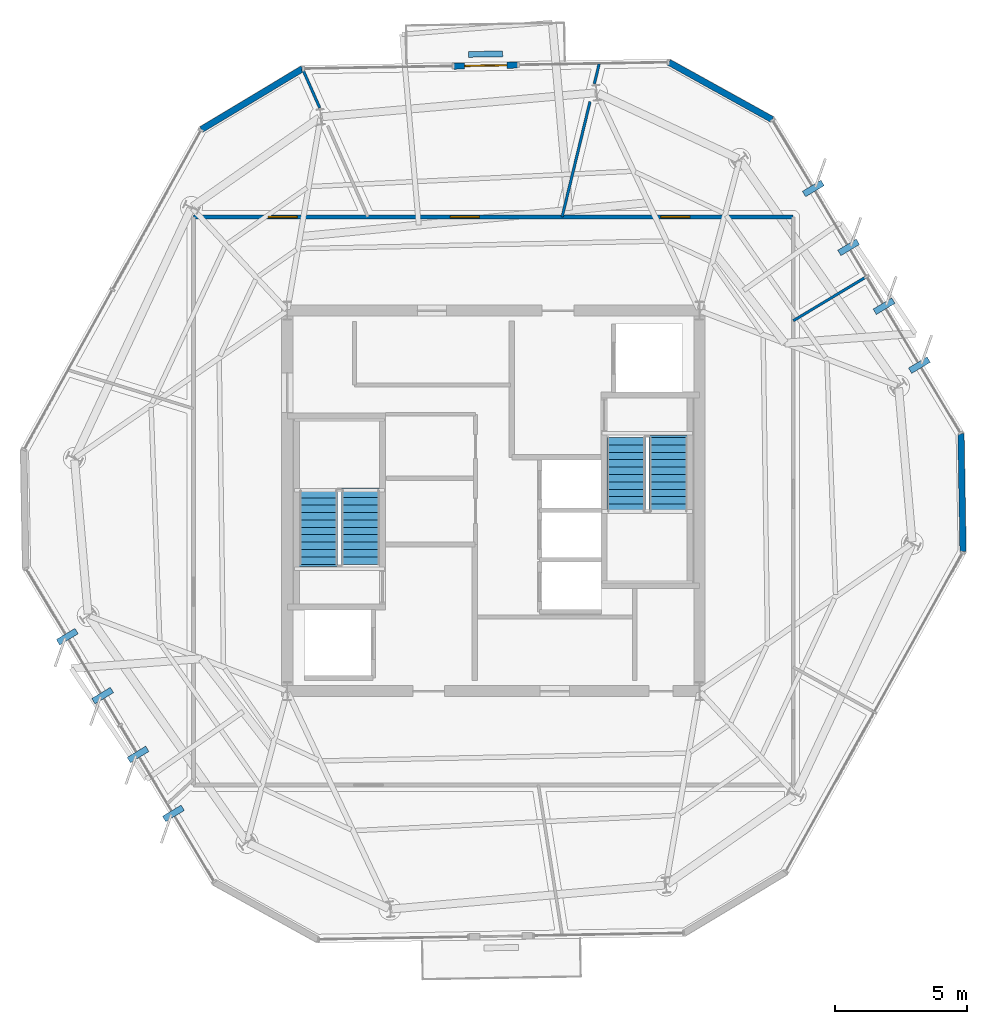
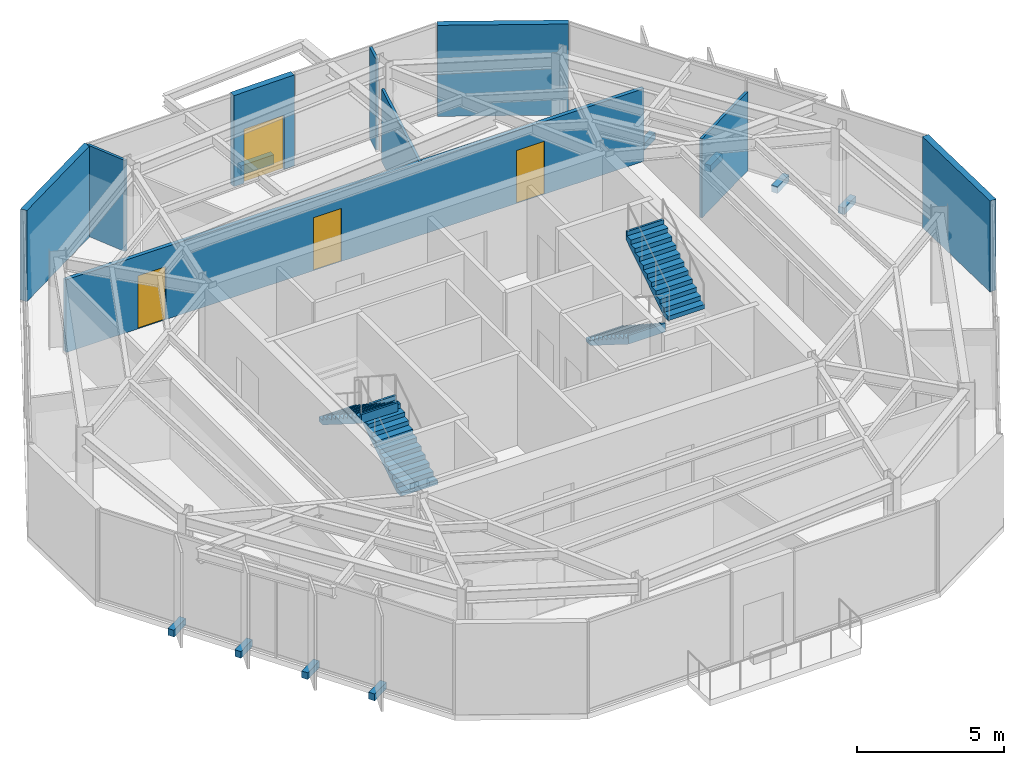
# One storey, part 8 of 12: 10 walls, 8 discrete accessories, 4 doors, 4 stair flights, 4 openings, 2 elements without a shape of their own.
"""IFC4 building model written with IfcOpenShell, lengths in metres."""

from ifc_helpers import new_model, si_unit, direction, frame, frame_2d, origin, origin_2d, place, context, subcontext, project, spatial, polyline, rectangle, outline, extrude, material, layer, layer_set, type_object, element, fill, aggregate, save


model = new_model("IFC4")

# Units and contexts
model_context = context("Model", 3, precision=1e-05, world=origin(), true_north=direction((0.0, 1.0)))
body_context = subcontext(model_context, "Body", "Model", "MODEL_VIEW")
ifc_project = project(units=[si_unit("LENGTHUNIT", "METRE"), si_unit("AREAUNIT", "SQUARE_METRE"), si_unit("VOLUMEUNIT", "CUBIC_METRE"), si_unit("PLANEANGLEUNIT", "RADIAN"), si_unit("MASSUNIT", "GRAM", prefix="KILO")], contexts=[model_context])

# Site, building, storey
site_placement = place(None, origin())
site = spatial("IfcSite", under=ifc_project, at=site_placement, CompositionType="ELEMENT")
building_placement = place(site_placement, origin())
building = spatial("IfcBuilding", under=site, at=building_placement, Name="Kranzbogen Civic Tower", CompositionType="ELEMENT")
storey_placement = place(building_placement, frame((0.0, 0.0, 270.199951171875)))
storey = spatial("IfcBuildingStorey", under=building, at=storey_placement, Name="L65", CompositionType="ELEMENT", Elevation=270.199951171875)

# Wall, openings, doors
ifc_material_1 = material(Name="Double-Stud Acoustic Gypsum Partition")
ifc_layer_1 = layer(ifc_material_1, 0.14990234375, Name="Double-Stud Acoustic Gypsum Partition")
ifc_layer_set_1 = layer_set([ifc_layer_1], Name="Double-Stud Acoustic Gypsum Partition")
wall_type_1 = type_object("IfcWallType", Name="Acoustic Corridor and Clinical Partition 150 mm", PredefinedType="PARTITIONING", material=ifc_layer_set_1)
wall_1_placement = place(storey_placement, frame((13.64990234375, 35.75, 0.0), z_axis=(0.0, 0.0, 1.0), x_axis=(1.0, 0.0, 0.0)))
wall_1 = element("IfcWall", 1, at=wall_1_placement, inside=storey, type_object=wall_type_1, Name="L65 corridor partition 01", PredefinedType="PARTITIONING", context=body_context, shape_type="SweptSolid", body=[
    extrude(rectangle(XDim=22.7001953125, YDim=0.14990234375, at=frame_2d((11.35009765625, 0.0))), origin(), (0.0, 0.0, 1.0), 3.02001953125),
])
opening_1_placement = place(wall_1_placement, frame((9.720947265625, 0.0, 0.0)))
opening_1 = element("IfcOpeningElement", 2, at=opening_1_placement, cuts=wall_1, Name="Opening D-COR60", PredefinedType="OPENING", context=body_context, shape_type="SweptSolid", body=[
    extrude(rectangle(XDim=1.10009765625, YDim=2.199951171875, at=frame_2d((0.550048828125, 1.10009765625))), frame((0.0, 0.0849609375, 0.0), z_axis=(0.0, -1.0, 0.0), x_axis=(1.0, 0.0, 0.0)), (0.0, 0.0, 1.0), 0.169921875),
])
opening_2_placement = place(wall_1_placement, frame((17.69091796875, 0.0, 0.0)))
opening_2 = element("IfcOpeningElement", 3, at=opening_2_placement, cuts=wall_1, Name="Opening D-COR60", PredefinedType="OPENING", context=body_context, shape_type="SweptSolid", body=[
    extrude(rectangle(XDim=1.10009765625, YDim=2.199951171875, at=frame_2d((0.550048828125, 1.10009765625))), frame((0.0, 0.0849609375, 0.0), z_axis=(0.0, -1.0, 0.0), x_axis=(1.0, 0.0, 0.0)), (0.0, 0.0, 1.0), 0.169921875),
])
opening_3_placement = place(wall_1_placement, frame((2.827880859375, 0.0, 0.0)))
opening_3 = element("IfcOpeningElement", 4, at=opening_3_placement, cuts=wall_1, Name="Opening D-COR60", PredefinedType="OPENING", context=body_context, shape_type="SweptSolid", body=[
    extrude(rectangle(XDim=1.10009765625, YDim=2.199951171875, at=frame_2d((0.550048828125, 1.10009765625))), frame((0.0, 0.0849609375, 0.0), z_axis=(0.0, -1.0, 0.0), x_axis=(1.0, 0.0, 0.0)), (0.0, 0.0, 1.0), 0.169921875),
])
ifc_material_2 = material(Name="Oak Timber and Fire Core", Category="wood")
door_type_1 = type_object("IfcDoorType", Name="Corridor Acoustic Fire Door 1100x2200", OperationType="NOTDEFINED", PredefinedType="DOOR", material=ifc_material_2)
door_1_placement = place(opening_1_placement, origin())
door_1 = element("IfcDoor", 5, at=door_1_placement, inside=storey, type_object=door_type_1, Name="L65 Hospitality Catering Kitchen door", OperationType="SINGLE_SWING_RIGHT", OverallHeight=2.199951171875, OverallWidth=1.10009765625, PredefinedType="DOOR", context=body_context, shape_type="SweptSolid", body=[
    extrude(rectangle(XDim=1.10009765625, YDim=2.199951171875, at=frame_2d((0.550048828125, 1.10009765625))), frame((0.0, 0.02490234375, 0.0), z_axis=(0.0, -1.0, 0.0), x_axis=(1.0, 0.0, 0.0)), (0.0, 0.0, 1.0), 0.050048828125),
])
fill(opening_1, door_1)
door_2_placement = place(opening_2_placement, origin())
door_2 = element("IfcDoor", 6, at=door_2_placement, inside=storey, type_object=door_type_1, Name="L65 Refreshment Galley Pantry door", OperationType="SINGLE_SWING_LEFT", OverallHeight=2.199951171875, OverallWidth=1.10009765625, PredefinedType="DOOR", context=body_context, shape_type="SweptSolid", body=[
    extrude(rectangle(XDim=1.10009765625, YDim=2.199951171875, at=frame_2d((0.550048828125, 1.10009765625))), frame((0.0, 0.02490234375, 0.0), z_axis=(0.0, -1.0, 0.0), x_axis=(1.0, 0.0, 0.0)), (0.0, 0.0, 1.0), 0.050048828125),
])
fill(opening_2, door_2)
door_3_placement = place(opening_3_placement, origin())
door_3 = element("IfcDoor", 7, at=door_3_placement, inside=storey, type_object=door_type_1, Name="L65 Ministerial Policy Office door", OperationType="SINGLE_SWING_RIGHT", OverallHeight=2.199951171875, OverallWidth=1.10009765625, PredefinedType="DOOR", context=body_context, shape_type="SweptSolid", body=[
    extrude(rectangle(XDim=1.10009765625, YDim=2.199951171875, at=frame_2d((0.550048828125, 1.10009765625))), frame((0.0, 0.02490234375, 0.0), z_axis=(0.0, -1.0, 0.0), x_axis=(1.0, 0.0, 0.0)), (0.0, 0.0, 1.0), 0.050048828125),
])
fill(opening_3, door_3)

# Walls
ifc_material_3 = material(Name="Architectural Precast Terracotta Concrete C40/50", Category="masonry")
ifc_layer_2 = layer(ifc_material_3, 0.219970703125, Name="Architectural Precast Terracotta Concrete C40/50")
ifc_layer_set_2 = layer_set([ifc_layer_2], Name="Architectural Precast Terracotta Concrete C40/50")
wall_type_2 = type_object("IfcWallType", Name="Architectural Tree Planter Kerb Wall 220 mm", PredefinedType="USERDEFINED", material=ifc_layer_set_2)
wall_2_placement = place(storey_placement, frame((25.35498046875, 41.9208984375, 0.0), z_axis=(0.0, 0.0, 1.0), x_axis=(-0.999857201789, -0.01689899496, 0.0)))
element("IfcWall", 8, at=wall_2_placement, inside=storey, type_object=wall_type_2, Name="L65 landscaped tree balcony planter L65-TB2", ObjectType="PLANTER_WALL", PredefinedType="USERDEFINED", context=body_context, shape_type="SweptSolid", body=[
    extrude(rectangle(XDim=1.30029296875, YDim=0.219970703125, at=frame_2d((0.650146484375, 0.0))), origin(), (0.0, 0.0, 1.0), 0.400146484375),
])
ifc_material_4 = material(Name="Demountable Aluminium and Gypsum Partition", Category="aluminium")
ifc_layer_3 = layer(ifc_material_4, 0.10009765625, Name="Demountable Aluminium and Gypsum Partition")
ifc_layer_set_3 = layer_set([ifc_layer_3], Name="Demountable Aluminium and Gypsum Partition")
wall_type_3 = type_object("IfcWallType", Name="Demountable Office Partition 100 mm", PredefinedType="MOVABLE", material=ifc_layer_set_3)
wall_3_placement = place(storey_placement, frame((18.429931640625, 39.8759765625, 0.0), z_axis=(0.0, 0.0, 1.0), x_axis=(-0.403674010348, 0.914902887398, 0.0)))
element("IfcWall", 9, at=wall_3_placement, inside=storey, type_object=wall_type_3, Name="L65 radial room partition 01 part 2", PredefinedType="MOVABLE", context=body_context, shape_type="SweptSolid", body=[
    extrude(rectangle(XDim=1.600341796875, YDim=0.10009765625, at=frame_2d((0.80029296875, 0.0))), origin(), (0.0, 0.0, 1.0), 3.780029296875),
])
wall_4_placement = place(storey_placement, frame((36.35009765625, 31.820068359375, 0.0), z_axis=(0.0, 0.0, 1.0), x_axis=(0.85725213213, 0.514896865361, 0.0)))
element("IfcWall", 10, at=wall_4_placement, inside=storey, type_object=wall_type_3, Name="L65 radial room partition 06", PredefinedType="MOVABLE", context=body_context, shape_type="SweptSolid", body=[
    extrude(rectangle(XDim=3.221923828125, YDim=0.10009765625, at=frame_2d((1.61083984375, 0.0))), origin(), (0.0, 0.0, 1.0), 3.280029296875),
])
wall_5_placement = place(storey_placement, frame((27.60302734375, 35.75, 0.0), z_axis=(0.0, 0.0, 1.0), x_axis=(0.235371054184, 0.971905585359, 0.0)))
element("IfcWall", 11, at=wall_5_placement, inside=storey, type_object=wall_type_3, Name="L65 radial room partition 07 part 1", PredefinedType="MOVABLE", context=body_context, shape_type="SweptSolid", body=[
    extrude(rectangle(XDim=4.486083984375, YDim=0.10009765625, at=frame_2d((2.2431640625, 0.0))), origin(), (0.0, 0.0, 1.0), 3.02001953125),
])
wall_6_placement = place(storey_placement, frame((28.822998046875, 40.7900390625, 0.0), z_axis=(0.0, 0.0, 1.0), x_axis=(0.235718383404, 0.971821405262, 0.0)))
element("IfcWall", 12, at=wall_6_placement, inside=storey, type_object=wall_type_3, Name="L65 radial room partition 07 part 2", PredefinedType="MOVABLE", context=body_context, shape_type="SweptSolid", body=[
    extrude(rectangle(XDim=0.767578125, YDim=0.10009765625, at=frame_2d((0.3837890625, 0.0))), origin(), (0.0, 0.0, 1.0), 3.780029296875),
])

# Wall, opening, door
ifc_material_5 = material(Name="Pale Anodised Aluminium", Category="aluminium")
ifc_layer_4 = layer(ifc_material_5, 0.239990234375, Name="Pale Anodised Aluminium")
ifc_layer_set_4 = layer_set([ifc_layer_4], Name="Pale Anodised Aluminium")
wall_type_4 = type_object("IfcWallType", Name="Insulated Aluminium Facade Portal Wall 240 mm", PredefinedType="STANDARD", material=ifc_layer_set_4)
wall_7_placement = place(storey_placement, frame((25.912109375, 41.498046875, 0.0), z_axis=(0.0, 0.0, 1.0), x_axis=(-0.999846985771, -0.017492999853, 0.0)))
wall_7 = element("IfcWall", 13, at=wall_7_placement, inside=storey, type_object=wall_type_4, Name="L65 exterior entrance portal wall 1", PredefinedType="STANDARD", context=body_context, shape_type="SweptSolid", body=[
    extrude(rectangle(XDim=2.400634765625, YDim=0.239990234375, at=frame_2d((1.2001953125, 0.0))), origin(), (0.0, 0.0, 1.0), 3.780029296875),
])
opening_4_placement = place(wall_7_placement, frame((0.39990234375, 0.0, 0.0)))
opening_4 = element("IfcOpeningElement", 14, at=opening_4_placement, cuts=wall_7, Name="Opening D-TER", PredefinedType="OPENING", context=body_context, shape_type="SweptSolid", body=[
    extrude(rectangle(XDim=1.60009765625, YDim=2.25, at=frame_2d((0.800048828125, 1.125))), frame((0.0, 0.1298828125, 0.0), z_axis=(0.0, -1.0, 0.0), x_axis=(1.0, 0.0, 0.0)), (0.0, 0.0, 1.0), 0.260009765625),
])
ifc_material_6 = material(Name="Anodised Bronze and Triple Glass", Category="glass")
door_type_2 = type_object("IfcDoorType", Name="Glazed Terrace and Balcony Double Door 1600x2250", OperationType="DOUBLE_DOOR_SINGLE_SWING", PredefinedType="DOOR", material=ifc_material_6)
door_4_placement = place(opening_4_placement, frame((1.60009765625, 0.0, 0.0), z_axis=(0.0, 0.0, 1.0), x_axis=(-1.0, 0.0, 0.0)))
door_4 = element("IfcDoor", 15, at=door_4_placement, inside=storey, type_object=door_type_2, Name="L65 tree balcony access door L65-TB2", OperationType="DOUBLE_DOOR_SINGLE_SWING", OverallHeight=2.25, OverallWidth=1.60009765625, PredefinedType="DOOR", context=body_context, shape_type="SweptSolid", body=[
    extrude(rectangle(XDim=1.60009765625, YDim=2.25, at=frame_2d((0.800048828125, 1.125))), frame((0.0, 0.02490234375, 0.0), z_axis=(0.0, -1.0, 0.0), x_axis=(1.0, 0.0, 0.0)), (0.0, 0.0, 1.0), 0.050048828125),
])
fill(opening_4, door_4)

# Walls
wall_8_placement = place(storey_placement, frame((17.777099609375, 41.35595703125, 0.0), z_axis=(0.0, 0.0, 1.0), x_axis=(-0.857121218243, -0.515114761231, 0.0)))
element("IfcWall", 16, at=wall_8_placement, inside=storey, type_object=wall_type_4, Name="L65 chamfered corner facade spandrel 1", PredefinedType="STANDARD", context=body_context, shape_type="SweptSolid", body=[
    extrude(rectangle(XDim=4.465087890625, YDim=0.239990234375, at=frame_2d((2.232421875, 0.0))), origin(), (0.0, 0.0, 1.0), 3.780029296875),
])
wall_9_placement = place(storey_placement, frame((42.77587890625, 23.076904296875, 0.0), z_axis=(0.0, 0.0, 1.0), x_axis=(-0.01743952575, 0.999847919907, 0.0)))
element("IfcWall", 17, at=wall_9_placement, inside=storey, type_object=wall_type_4, Name="L65 chamfered corner facade spandrel 5", PredefinedType="STANDARD", context=body_context, shape_type="SweptSolid", body=[
    extrude(rectangle(XDim=4.4658203125, YDim=0.239990234375, at=frame_2d((2.23291015625, 0.0))), origin(), (0.0, 0.0, 1.0), 3.780029296875),
])
wall_10_placement = place(storey_placement, frame((35.552978515625, 39.43310546875, 0.0), z_axis=(0.0, 0.0, 1.0), x_axis=(-0.874600538514, 0.48484419975, 0.0)))
element("IfcWall", 18, at=wall_10_placement, inside=storey, type_object=wall_type_4, Name="L65 chamfered corner facade spandrel 6", PredefinedType="STANDARD", context=body_context, shape_type="SweptSolid", body=[
    extrude(rectangle(XDim=4.46484375, YDim=0.239990234375, at=frame_2d((2.232421875, 0.0))), origin(), (0.0, 0.0, 1.0), 3.780029296875),
])

# Stair, stair flights
ifc_material_7 = material(Name="Precast concrete C40/50", Category="concrete")
stair_type_1 = type_object("IfcStairType", Name="Tower Core Pressurized Dogleg Stair 1450", PredefinedType="HALF_TURN_STAIR", material=ifc_material_7)
stair_1_placement = place(storey_placement, origin())
stair_1 = element("IfcStair", 19, at=stair_1_placement, inside=storey, type_object=stair_type_1, Name="L65 Tower Core Pressurized Stair 1", PredefinedType="HALF_TURN_STAIR")
stair_flight_type = type_object("IfcStairFlightType", Name="Precast Concrete Stair Flight R180", PredefinedType="STRAIGHT", material=ifc_material_7)
stair_flight_1_placement = place(storey_placement, frame((19.97509765625, 22.60009765625, 0.0), z_axis=(0.0, 0.0, 1.0), x_axis=(0.0, 1.0, 0.0)))
stair_flight_1 = element("IfcStairFlight", 20, at=stair_flight_1_placement, type_object=stair_flight_type, Name="ST-T1 flight 1", NumberOfRisers=11, NumberOfTreads=10, PredefinedType="STRAIGHT", RiserHeight=0.181818182, TreadLength=0.28, context=body_context, shape_type="SweptSolid", body=[
    extrude(outline(polyline([(0.0, 0.0), (0.0, 0.181884765625), (0.280029296875, 0.181884765625), (0.280029296875, 0.363525390625), (0.56005859375, 0.363525390625), (0.56005859375, 0.54541015625), (0.840087890625, 0.54541015625), (0.840087890625, 0.727294921875), (1.1201171875, 0.727294921875), (1.1201171875, 0.9091796875), (1.39990234375, 0.9091796875), (1.39990234375, 1.0908203125), (1.679931640625, 1.0908203125), (1.679931640625, 1.272705078125), (1.9599609375, 1.272705078125), (1.9599609375, 1.45458984375), (2.239990234375, 1.45458984375), (2.239990234375, 1.636474609375), (2.52001953125, 1.636474609375), (2.52001953125, 1.818115234375), (2.800048828125, 1.818115234375), (2.800048828125, 2.0), (2.880126953125, 2.0), (2.880126953125, 1.639404296875), (0.275146484375, 0.0), (0.0, 0.0)])), frame((0.0, 0.72509765625, 0.0), z_axis=(0.0, -1.0, 0.0), x_axis=(1.0, 0.0, 0.0)), (0.0, 0.0, 1.0), 1.449951171875),
])
stair_flight_2_placement = place(storey_placement, frame((18.375, 25.39990234375, 2.0), z_axis=(0.0, 0.0, 1.0), x_axis=(0.0, -1.0, 0.0)))
stair_flight_2 = element("IfcStairFlight", 21, at=stair_flight_2_placement, type_object=stair_flight_type, Name="ST-T1 flight 2", NumberOfRisers=11, NumberOfTreads=10, PredefinedType="STRAIGHT", RiserHeight=0.181818182, TreadLength=0.28, context=body_context, shape_type="SweptSolid", body=[
    extrude(outline(polyline([(0.0, 0.0), (0.0, 0.181884765625), (0.280029296875, 0.181884765625), (0.280029296875, 0.363525390625), (0.56005859375, 0.363525390625), (0.56005859375, 0.54541015625), (0.840087890625, 0.54541015625), (0.840087890625, 0.727294921875), (1.1201171875, 0.727294921875), (1.1201171875, 0.9091796875), (1.39990234375, 0.9091796875), (1.39990234375, 1.0908203125), (1.679931640625, 1.0908203125), (1.679931640625, 1.272705078125), (1.9599609375, 1.272705078125), (1.9599609375, 1.45458984375), (2.239990234375, 1.45458984375), (2.239990234375, 1.636474609375), (2.52001953125, 1.636474609375), (2.52001953125, 1.818115234375), (2.800048828125, 1.818115234375), (2.800048828125, 2.0), (2.880126953125, 2.0), (2.880126953125, 1.639404296875), (0.275146484375, 0.0), (0.0, 0.0)])), frame((0.0, 0.72509765625, 0.0), z_axis=(0.0, -1.0, 0.0), x_axis=(1.0, 0.0, 0.0)), (0.0, 0.0, 1.0), 1.449951171875),
])
aggregate(stair_1, [stair_flight_1, stair_flight_2])

stair_type_2 = type_object("IfcStairType", Name="Tower Core Secondary Dogleg Stair 1450", PredefinedType="HALF_TURN_STAIR", material=ifc_material_7)
stair_2_placement = place(storey_placement, origin())
stair_2 = element("IfcStair", 22, at=stair_2_placement, inside=storey, type_object=stair_type_2, Name="L65 Tower Core Pressurized Stair 2", PredefinedType="HALF_TURN_STAIR")
stair_flight_3_placement = place(storey_placement, frame((30.02490234375, 27.39990234375, 0.0), z_axis=(0.0, 0.0, 1.0), x_axis=(0.0, -1.0, 0.0)))
stair_flight_3 = element("IfcStairFlight", 23, at=stair_flight_3_placement, type_object=stair_flight_type, Name="ST-T2 flight 1", NumberOfRisers=11, NumberOfTreads=10, PredefinedType="STRAIGHT", RiserHeight=0.181818182, TreadLength=0.28, context=body_context, shape_type="SweptSolid", body=[
    extrude(outline(polyline([(0.0, 0.0), (0.0, 0.181884765625), (0.280029296875, 0.181884765625), (0.280029296875, 0.363525390625), (0.56005859375, 0.363525390625), (0.56005859375, 0.54541015625), (0.840087890625, 0.54541015625), (0.840087890625, 0.727294921875), (1.1201171875, 0.727294921875), (1.1201171875, 0.9091796875), (1.39990234375, 0.9091796875), (1.39990234375, 1.0908203125), (1.679931640625, 1.0908203125), (1.679931640625, 1.272705078125), (1.9599609375, 1.272705078125), (1.9599609375, 1.45458984375), (2.239990234375, 1.45458984375), (2.239990234375, 1.636474609375), (2.52001953125, 1.636474609375), (2.52001953125, 1.818115234375), (2.800048828125, 1.818115234375), (2.800048828125, 2.0), (2.880126953125, 2.0), (2.880126953125, 1.639404296875), (0.275146484375, 0.0), (0.0, 0.0)])), frame((0.0, 0.72509765625, 0.0), z_axis=(0.0, -1.0, 0.0), x_axis=(1.0, 0.0, 0.0)), (0.0, 0.0, 1.0), 1.449951171875),
])
stair_flight_4_placement = place(storey_placement, frame((31.625, 24.60009765625, 2.0), z_axis=(0.0, 0.0, 1.0), x_axis=(0.0, 1.0, 0.0)))
stair_flight_4 = element("IfcStairFlight", 24, at=stair_flight_4_placement, type_object=stair_flight_type, Name="ST-T2 flight 2", NumberOfRisers=11, NumberOfTreads=10, PredefinedType="STRAIGHT", RiserHeight=0.181818182, TreadLength=0.28, context=body_context, shape_type="SweptSolid", body=[
    extrude(outline(polyline([(0.0, 0.0), (0.0, 0.181884765625), (0.280029296875, 0.181884765625), (0.280029296875, 0.363525390625), (0.56005859375, 0.363525390625), (0.56005859375, 0.54541015625), (0.840087890625, 0.54541015625), (0.840087890625, 0.727294921875), (1.1201171875, 0.727294921875), (1.1201171875, 0.9091796875), (1.39990234375, 0.9091796875), (1.39990234375, 1.0908203125), (1.679931640625, 1.0908203125), (1.679931640625, 1.272705078125), (1.9599609375, 1.272705078125), (1.9599609375, 1.45458984375), (2.239990234375, 1.45458984375), (2.239990234375, 1.636474609375), (2.52001953125, 1.636474609375), (2.52001953125, 1.818115234375), (2.800048828125, 1.818115234375), (2.800048828125, 2.0), (2.880126953125, 2.0), (2.880126953125, 1.639404296875), (0.275146484375, 0.0), (0.0, 0.0)])), frame((0.0, 0.72509765625, 0.0), z_axis=(0.0, -1.0, 0.0), x_axis=(1.0, 0.0, 0.0)), (0.0, 0.0, 1.0), 1.449951171875),
])
aggregate(stair_2, [stair_flight_3, stair_flight_4])

# Discrete accessories
ifc_material_8 = material(Name="Steel S355", Category="steel")
discrete_accessory_type = type_object("IfcDiscreteAccessoryType", Name="Structural Curtain-Wall Fin Support Bracket", PredefinedType="BRACKET", material=ifc_material_8)
for number, where, z_axis, x_axis, name in (
    (25, (8.875, 19.861083984375, -0.25), (0.0, 0.0, 1.0), (-0.857167300702, -0.51503807491, 0.0), "L65 facade fin support bracket F3-1"),
    (26, (10.214111328125, 17.632080078125, -0.25), (0.0, 0.0, 1.0), (-0.857167300702, -0.51503807491, 0.0), "L65 facade fin support bracket F3-2"),
    (27, (11.552978515625, 15.404052734375, -0.25), (0.0, 0.0, 1.0), (-0.857167300702, -0.51503807491, 0.0), "L65 facade fin support bracket F3-3"),
    (28, (12.89208984375, 13.175048828125, -0.25), (0.0, 0.0, 1.0), (-0.857167300702, -0.51503807491, 0.0), "L65 facade fin support bracket F3-4"),
    (29, (41.125, 30.138916015625, -0.25), (0.0, 0.0, 1.0), (0.857167300702, 0.51503807491, 0.0), "L65 facade fin support bracket F6-1"),
    (30, (39.785888671875, 32.367919921875, -0.25), (0.0, 0.0, 1.0), (0.857167300702, 0.51503807491, 0.0), "L65 facade fin support bracket F6-2"),
    (31, (38.447021484375, 34.595947265625, -0.25), (0.0, 0.0, 1.0), (0.857167300702, 0.51503807491, 0.0), "L65 facade fin support bracket F6-3"),
    (32, (37.10791015625, 36.824951171875, -0.25), (0.0, 0.0, 1.0), (0.857167300702, 0.51503807491, 0.0), "L65 facade fin support bracket F6-4"),
):
    element("IfcDiscreteAccessory", number, at=place(storey_placement, frame(where, z_axis=z_axis, x_axis=x_axis)), inside=storey, type_object=discrete_accessory_type, Name=name, PredefinedType="BRACKET", context=body_context, shape_type="SweptSolid", body=[
        extrude(rectangle(XDim=0.820068359375, YDim=0.239990234375, at=origin_2d()), origin(), (0.0, 0.0, 1.0), 0.280029296875),
    ])

save(model, "model.ifc")
